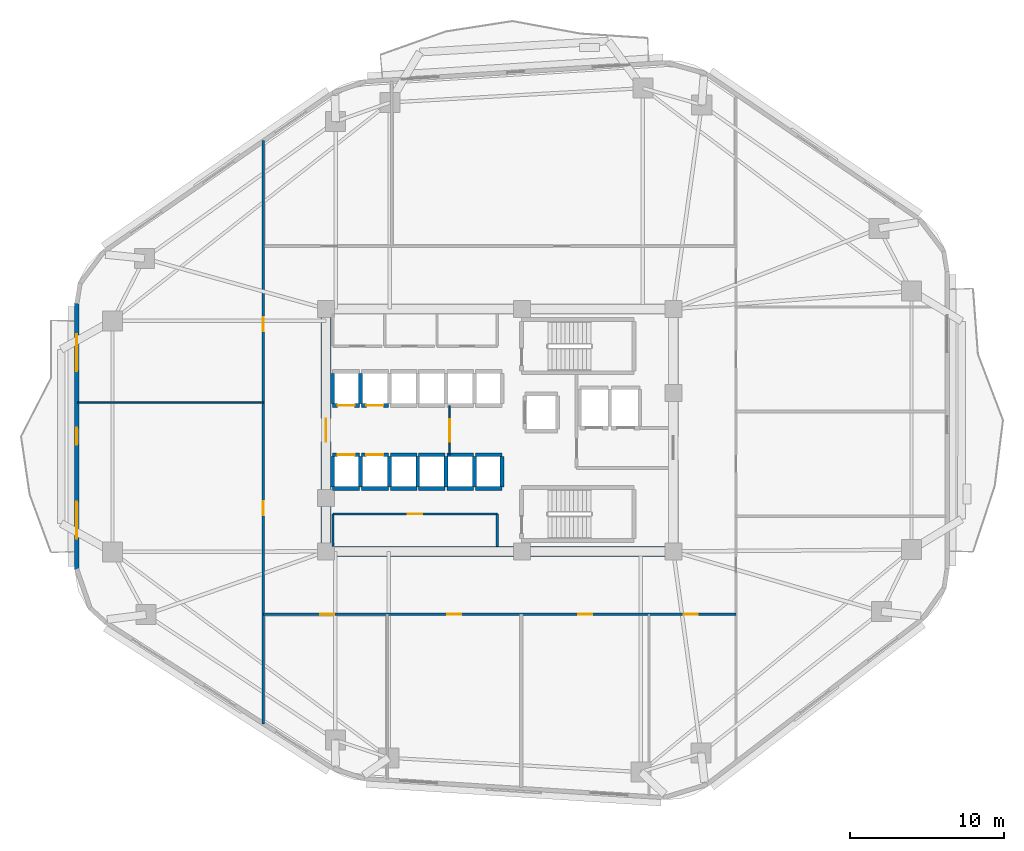
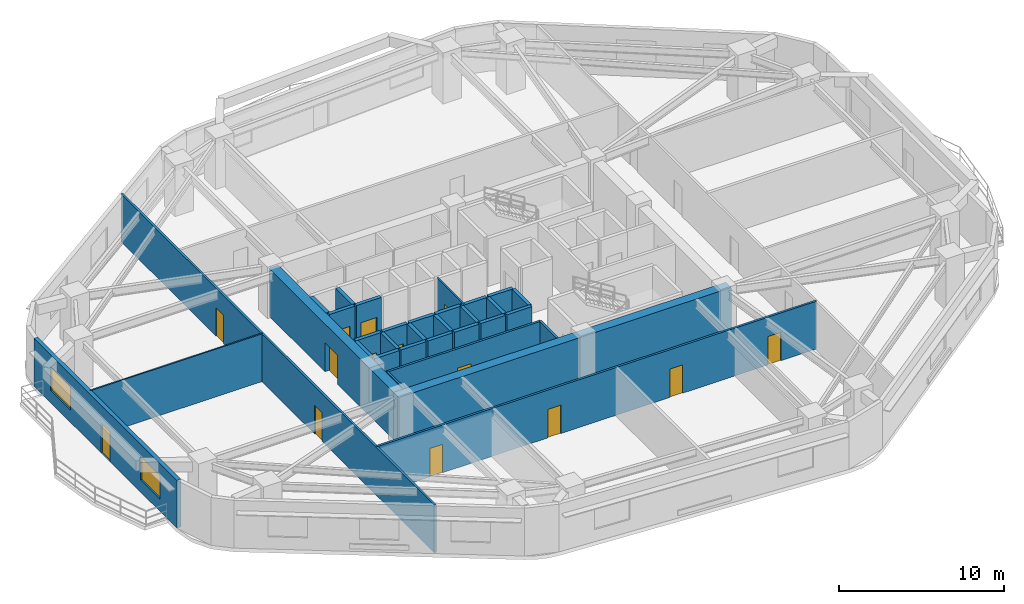
# One storey, part 3 of 9: 33 walls, 14 doors, 2 windows, 16 openings.
"""IFC4 building model written with IfcOpenShell, lengths in metres."""

from ifc_helpers import new_model, si_unit, direction, frame, frame_2d, origin, place, context, subcontext, project, spatial, rectangle, extrude, material, layer, layer_set, type_object, element, fill, save


model = new_model("IFC4")

# Units and contexts
model_context = context("Model", 3, precision=1e-05, world=origin(), true_north=direction((0.0, 1.0)))
body_context = subcontext(model_context, "Body", "Model", "MODEL_VIEW")
ifc_project = project(units=[si_unit("LENGTHUNIT", "METRE"), si_unit("AREAUNIT", "SQUARE_METRE"), si_unit("VOLUMEUNIT", "CUBIC_METRE"), si_unit("PLANEANGLEUNIT", "RADIAN"), si_unit("MASSUNIT", "GRAM", prefix="KILO")], contexts=[model_context])

# Site, building, storey
site_placement = place(None, origin())
site = spatial("IfcSite", under=ifc_project, at=site_placement, CompositionType="ELEMENT")
building_placement = place(site_placement, origin())
building = spatial("IfcBuilding", under=site, at=building_placement, Name="Zulverin Broadcast Headquarters", CompositionType="ELEMENT")
storey_placement = place(building_placement, frame((0.0, 0.0, 59.199951171875)))
storey = spatial("IfcBuildingStorey", under=building, at=storey_placement, Name="L14", CompositionType="ELEMENT", Elevation=59.199951171875)

# Wall
ifc_material_1 = material(Name="Concrete C60/75", Category="concrete")
ifc_layer_1 = layer(ifc_material_1, 0.64990234375, Name="Concrete C60/75", Category="concrete")
ifc_layer_set_1 = layer_set([ifc_layer_1], Name="Concrete C60/75")
wall_type_1 = type_object("IfcWallType", Name="WL-CORE-650", PredefinedType="SHEAR", material=ifc_layer_set_1)
wall_1_placement = place(storey_placement, frame((25.39990234375, 17.324951171875, 0.0), z_axis=(0.0, 0.0, 1.0), x_axis=(1.0, 0.0, 0.0)))
element("IfcWall", 1, at=wall_1_placement, inside=storey, type_object=wall_type_1, Name="L14 Core South Shear Wall", PredefinedType="SHEAR", context=body_context, shape_type="SweptSolid", body=[
    extrude(rectangle(XDim=23.2001953125, YDim=0.64990234375, at=frame_2d((11.60009765625, 0.0))), origin(), (0.0, 0.0, 1.0), 3.525146484375),
])

# Wall, opening, door
wall_2_placement = place(storey_placement, frame((25.72509765625, 17.64990234375, 0.0), z_axis=(0.0, 0.0, 1.0), x_axis=(0.0, 1.0, 0.0)))
wall_2 = element("IfcWall", 2, at=wall_2_placement, inside=storey, type_object=wall_type_1, Name="L14 Core West Shear Wall", PredefinedType="SHEAR", context=body_context, shape_type="SweptSolid", body=[
    extrude(rectangle(XDim=15.10009765625, YDim=0.64990234375, at=frame_2d((7.550048828125, 0.0))), origin(), (0.0, 0.0, 1.0), 3.525146484375),
])
opening_1_placement = place(wall_2_placement, frame((6.800048828125, 0.0, 0.0)))
opening_1 = element("IfcOpeningElement", 3, at=opening_1_placement, cuts=wall_2, Name="Opening D-L14-CW1", PredefinedType="OPENING", context=body_context, shape_type="SweptSolid", body=[
    extrude(rectangle(XDim=1.5, YDim=2.14990234375, at=frame_2d((0.75, 1.074951171875))), frame((0.0, 0.3349609375, 0.0), z_axis=(0.0, -1.0, 0.0), x_axis=(1.0, 0.0, 0.0)), (0.0, 0.0, 1.0), 0.669921875),
])
ifc_material_2 = material(Name="Fire-rated glazed steel frame", Category="steel")
door_type_1 = type_object("IfcDoorType", Name="DR-COR-1500", OperationType="DOUBLE_DOOR_SINGLE_SWING", PredefinedType="DOOR", material=ifc_material_2)
door_1_placement = place(opening_1_placement, origin())
door_1 = element("IfcDoor", 4, at=door_1_placement, inside=storey, type_object=door_type_1, Name="L14 Central Lift Lobby West Portal Door", OperationType="DOUBLE_DOOR_SINGLE_SWING", OverallHeight=2.14990234375, OverallWidth=1.5, PredefinedType="DOOR", context=body_context, shape_type="SweptSolid", body=[
    extrude(rectangle(XDim=1.5, YDim=2.14990234375, at=frame_2d((0.75, 1.074951171875))), frame((0.0, 0.02490234375, 0.0), z_axis=(0.0, -1.0, 0.0), x_axis=(1.0, 0.0, 0.0)), (0.0, 0.0, 1.0), 0.050048828125),
])
fill(opening_1, door_1)

# Wall, openings, door, windows
ifc_material_3 = material(Name="Insulated pale-metal clad concrete spandrel C40/50", Category="concrete")
ifc_layer_2 = layer(ifc_material_3, 0.280029296875, Name="Insulated pale-metal clad concrete spandrel C40/50", Category="concrete")
ifc_layer_set_2 = layer_set([ifc_layer_2], Name="Insulated pale-metal clad concrete spandrel C40/50")
wall_type_2 = type_object("IfcWallType", Name="WL-EXT-280", PredefinedType="STANDARD", material=ifc_layer_set_2)
wall_3_placement = place(storey_placement, frame((9.5400390625, 33.4443359375, 0.0), z_axis=(0.0, 0.0, 1.0), x_axis=(0.0, -1.0, 0.0)))
wall_3 = element("IfcWall", 5, at=wall_3_placement, inside=storey, type_object=wall_type_2, Name="L14 Pale-Metal Clad Spandrel Wall 7", PredefinedType="STANDARD", context=body_context, shape_type="SweptSolid", body=[
    extrude(rectangle(XDim=17.30078125, YDim=0.280029296875, at=frame_2d((8.650390625, 0.0))), origin(), (0.0, 0.0, 1.0), 3.525146484375),
])
opening_2_placement = place(wall_3_placement, frame((8.100341796875, 0.0, 0.0)))
opening_2 = element("IfcOpeningElement", 6, at=opening_2_placement, cuts=wall_3, Name="Opening D-L14-TR7", PredefinedType="OPENING", context=body_context, shape_type="SweptSolid", body=[
    extrude(rectangle(XDim=1.10009765625, YDim=2.199951171875, at=frame_2d((0.550048828125, 1.10009765625))), frame((0.0, 0.14990234375, 0.0), z_axis=(0.0, -1.0, 0.0), x_axis=(1.0, 0.0, 0.0)), (0.0, 0.0, 1.0), 0.300048828125),
])
opening_3_placement = place(wall_3_placement, frame((2.016845703125, 0.0, 0.89990234375)))
opening_3 = element("IfcOpeningElement", 7, at=opening_3_placement, cuts=wall_3, Name="Opening W-L14-E71", PredefinedType="OPENING", context=body_context, shape_type="SweptSolid", body=[
    extrude(rectangle(XDim=2.39990234375, YDim=1.75, at=frame_2d((1.199951171875, 0.875))), frame((0.0, 0.14990234375, 0.0), z_axis=(0.0, -1.0, 0.0), x_axis=(1.0, 0.0, 0.0)), (0.0, 0.0, 1.0), 0.300048828125),
])
opening_4_placement = place(wall_3_placement, frame((12.884033203125, 0.0, 0.89990234375)))
opening_4 = element("IfcOpeningElement", 8, at=opening_4_placement, cuts=wall_3, Name="Opening W-L14-E72", PredefinedType="OPENING", context=body_context, shape_type="SweptSolid", body=[
    extrude(rectangle(XDim=2.39990234375, YDim=1.75, at=frame_2d((1.199951171875, 0.875))), frame((0.0, 0.14990234375, 0.0), z_axis=(0.0, -1.0, 0.0), x_axis=(1.0, 0.0, 0.0)), (0.0, 0.0, 1.0), 0.300048828125),
])
ifc_material_4 = material(Name="Thermally broken aluminium glazed", Category="aluminium")
door_type_2 = type_object("IfcDoorType", Name="DR-TERR-1100", OperationType="SINGLE_SWING_RIGHT", PredefinedType="DOOR", material=ifc_material_4)
door_2_placement = place(opening_2_placement, origin())
door_2 = element("IfcDoor", 9, at=door_2_placement, inside=storey, type_object=door_type_2, Name="L14 Planted Terrace Glazed Access Door 7", OperationType="SINGLE_SWING_RIGHT", OverallHeight=2.199951171875, OverallWidth=1.10009765625, PredefinedType="DOOR", context=body_context, shape_type="SweptSolid", body=[
    extrude(rectangle(XDim=1.10009765625, YDim=2.199951171875, at=frame_2d((0.550048828125, 1.10009765625))), frame((0.0, 0.02490234375, 0.0), z_axis=(0.0, -1.0, 0.0), x_axis=(1.0, 0.0, 0.0)), (0.0, 0.0, 1.0), 0.050048828125),
])
fill(opening_2, door_2)
ifc_material_5 = material(Name="Pale anodized aluminium frame with solar-control low-E double glazing", Category="aluminium")
window_type = type_object("IfcWindowType", Name="WIN-RIB-2400", PartitioningType="SINGLE_PANEL", PredefinedType="WINDOW", material=ifc_material_5)
window_1_placement = place(opening_3_placement, origin())
window_1 = element("IfcWindow", 10, at=window_1_placement, inside=storey, type_object=window_type, Name="L14 Ribbon Glazing Window 7 1", OverallHeight=1.75, OverallWidth=2.39990234375, PartitioningType="SINGLE_PANEL", PredefinedType="WINDOW", context=body_context, shape_type="SweptSolid", body=[
    extrude(rectangle(XDim=2.39990234375, YDim=1.75, at=frame_2d((1.199951171875, 0.875))), frame((0.0, 0.030029296875, 0.0), z_axis=(0.0, -1.0, 0.0), x_axis=(1.0, 0.0, 0.0)), (0.0, 0.0, 1.0), 0.06005859375),
])
fill(opening_3, window_1)
window_2_placement = place(opening_4_placement, origin())
window_2 = element("IfcWindow", 11, at=window_2_placement, inside=storey, type_object=window_type, Name="L14 Ribbon Glazing Window 7 2", OverallHeight=1.75, OverallWidth=2.39990234375, PartitioningType="SINGLE_PANEL", PredefinedType="WINDOW", context=body_context, shape_type="SweptSolid", body=[
    extrude(rectangle(XDim=2.39990234375, YDim=1.75, at=frame_2d((1.199951171875, 0.875))), frame((0.0, 0.030029296875, 0.0), z_axis=(0.0, -1.0, 0.0), x_axis=(1.0, 0.0, 0.0)), (0.0, 0.0, 1.0), 0.06005859375),
])
fill(opening_4, window_2)

# Wall, opening, door
ifc_material_6 = material(Name="Fire-rated acoustic laminated glass screen", Category="glass")
ifc_layer_3 = layer(ifc_material_6, 0.10009765625, Name="Fire-rated acoustic laminated glass screen", Category="glass")
ifc_layer_set_3 = layer_set([ifc_layer_3], Name="Fire-rated acoustic laminated glass screen")
wall_type_3 = type_object("IfcWallType", Name="WL-GLAZ-100", PredefinedType="PARTITIONING", material=ifc_layer_set_3)
wall_4_placement = place(storey_placement, frame((33.75, 23.60009765625, 0.0), z_axis=(0.0, 0.0, 1.0), x_axis=(0.0, 1.0, 0.0)))
wall_4 = element("IfcWall", 12, at=wall_4_placement, inside=storey, type_object=wall_type_3, Name="L14 Core Lobby Acoustic Screen", PredefinedType="PARTITIONING", context=body_context, shape_type="SweptSolid", body=[
    extrude(rectangle(XDim=3.199951171875, YDim=0.10009765625, at=frame_2d((1.60009765625, 0.0))), origin(), (0.0, 0.0, 1.0), 3.525146484375),
])
opening_5_placement = place(wall_4_placement, frame((0.85009765625, 0.0, 0.0)))
opening_5 = element("IfcOpeningElement", 13, at=opening_5_placement, cuts=wall_4, Name="Opening D-L14-CL1", PredefinedType="OPENING", context=body_context, shape_type="SweptSolid", body=[
    extrude(rectangle(XDim=1.449951171875, YDim=2.1201171875, at=frame_2d((0.72509765625, 1.06005859375))), frame((0.0, 0.06005859375, 0.0), z_axis=(0.0, -1.0, 0.0), x_axis=(1.0, 0.0, 0.0)), (0.0, 0.0, 1.0), 0.1201171875),
])
ifc_material_7 = material(Name="Fire-rated acoustic glazed double leaf", Category="glass")
door_type_3 = type_object("IfcDoorType", Name="DR-GLZ-1450", OperationType="DOUBLE_DOOR_SINGLE_SWING", PredefinedType="DOOR", material=ifc_material_7)
door_3_placement = place(opening_5_placement, origin())
door_3 = element("IfcDoor", 14, at=door_3_placement, inside=storey, type_object=door_type_3, Name="L14 Core Lobby Vestibule Door", OperationType="DOUBLE_DOOR_SINGLE_SWING", OverallHeight=2.1201171875, OverallWidth=1.449951171875, PredefinedType="DOOR", context=body_context, shape_type="SweptSolid", body=[
    extrude(rectangle(XDim=1.449951171875, YDim=2.1201171875, at=frame_2d((0.72509765625, 1.06005859375))), frame((0.0, 0.02490234375, 0.0), z_axis=(0.0, -1.0, 0.0), x_axis=(1.0, 0.0, 0.0)), (0.0, 0.0, 1.0), 0.050048828125),
])
fill(opening_5, door_3)

# Wall
wall_5_placement = place(storey_placement, frame((9.60498046875, 27.0, 0.0), z_axis=(0.0, 0.0, 1.0), x_axis=(1.0, 0.0, 0.0)))
element("IfcWall", 15, at=wall_5_placement, inside=storey, type_object=wall_type_3, Name="L14 Room Partition Wall RP-10", PredefinedType="PARTITIONING", context=body_context, shape_type="SweptSolid", body=[
    extrude(rectangle(XDim=12.044921875, YDim=0.10009765625, at=frame_2d((6.0224609375, 0.0))), origin(), (0.0, 0.0, 1.0), 3.525146484375),
])

# Wall, opening, door
ifc_material_8 = material(Name="Fire-rated gypsum stud partition", Category="gypsum")
ifc_layer_4 = layer(ifc_material_8, 0.14990234375, Name="Fire-rated gypsum stud partition", Category="gypsum")
ifc_layer_set_4 = layer_set([ifc_layer_4], Name="Fire-rated gypsum stud partition")
wall_type_4 = type_object("IfcWallType", Name="WL-PART-150", PredefinedType="PARTITIONING", material=ifc_layer_set_4)
wall_6_placement = place(storey_placement, frame((26.169921875, 19.75, 0.0), z_axis=(0.0, 0.0, 1.0), x_axis=(1.0, 0.0, 0.0)))
wall_6 = element("IfcWall", 16, at=wall_6_placement, inside=storey, type_object=wall_type_4, Name="L14 Core Female WC & Facilities Room Front Wall", PredefinedType="PARTITIONING", context=body_context, shape_type="SweptSolid", body=[
    extrude(rectangle(XDim=10.68017578125, YDim=0.14990234375, at=frame_2d((5.340087890625, 0.0))), origin(), (0.0, 0.0, 1.0), 3.525146484375),
])
opening_6_placement = place(wall_6_placement, frame((4.864990234375, 0.0, 0.0)))
opening_6 = element("IfcOpeningElement", 17, at=opening_6_placement, cuts=wall_6, Name="Opening D-L14-SC1", PredefinedType="OPENING", context=body_context, shape_type="SweptSolid", body=[
    extrude(rectangle(XDim=0.949951171875, YDim=2.10009765625, at=frame_2d((0.47509765625, 1.050048828125))), frame((0.0, 0.0849609375, 0.0), z_axis=(0.0, -1.0, 0.0), x_axis=(1.0, 0.0, 0.0)), (0.0, 0.0, 1.0), 0.169921875),
])
ifc_material_9 = material(Name="Fire-rated moisture-resistant laminate leaf", Category="wood")
door_type_4 = type_object("IfcDoorType", Name="DR-WC-950", OperationType="SINGLE_SWING_LEFT", PredefinedType="DOOR", material=ifc_material_9)
door_4_placement = place(opening_6_placement, origin())
door_4 = element("IfcDoor", 18, at=door_4_placement, inside=storey, type_object=door_type_4, Name="L14 Female WC & Facilities Room Door", OperationType="SINGLE_SWING_RIGHT", OverallHeight=2.10009765625, OverallWidth=0.949951171875, PredefinedType="DOOR", context=body_context, shape_type="SweptSolid", body=[
    extrude(rectangle(XDim=0.949951171875, YDim=2.10009765625, at=frame_2d((0.47509765625, 1.050048828125))), frame((0.0, 0.02490234375, 0.0), z_axis=(0.0, -1.0, 0.0), x_axis=(1.0, 0.0, 0.0)), (0.0, 0.0, 1.0), 0.050048828125),
])
fill(opening_6, door_4)

# Walls
for number, where, z_axis, x_axis, name in (
    (19, (26.169921875, 17.64990234375, 0.0), (0.0, 0.0, 1.0), (0.0, 1.0, 0.0), "L14 Core Female WC & Facilities Room West Wall"),
    (20, (36.85009765625, 17.64990234375, 0.0), (0.0, 0.0, 1.0), (0.0, 1.0, 0.0), "L14 Core Female WC & Facilities Room East Wall"),
):
    element("IfcWall", number, at=place(storey_placement, frame(where, z_axis=z_axis, x_axis=x_axis)), inside=storey, type_object=wall_type_4, Name=name, PredefinedType="PARTITIONING", context=body_context, shape_type="SweptSolid", body=[
        extrude(rectangle(XDim=2.10009765625, YDim=0.14990234375, at=frame_2d((1.050048828125, 0.0))), origin(), (0.0, 0.0, 1.0), 3.525146484375),
    ])

# Wall, openings, doors
wall_7_placement = place(storey_placement, frame((21.64990234375, 6.118896484375, 0.0), z_axis=(0.0, 0.0, 1.0), x_axis=(0.0, 1.0, 0.0)))
wall_7 = element("IfcWall", 21, at=wall_7_placement, inside=storey, type_object=wall_type_4, Name="L14 Gallery Partition Wall CG-06", PredefinedType="PARTITIONING", context=body_context, shape_type="SweptSolid", body=[
    extrude(rectangle(XDim=37.884033203125, YDim=0.14990234375, at=frame_2d((18.94189453125, 0.0))), origin(), (0.0, 0.0, 1.0), 3.525146484375),
])
opening_7_placement = place(wall_7_placement, frame((13.55615234375, 0.0, 0.0)))
opening_7 = element("IfcOpeningElement", 22, at=opening_7_placement, cuts=wall_7, Name="Opening D-L14-07", PredefinedType="OPENING", context=body_context, shape_type="SweptSolid", body=[
    extrude(rectangle(XDim=0.89990234375, YDim=2.10009765625, at=frame_2d((0.449951171875, 1.050048828125))), frame((0.0, 0.0849609375, 0.0), z_axis=(0.0, -1.0, 0.0), x_axis=(1.0, 0.0, 0.0)), (0.0, 0.0, 1.0), 0.169921875),
])
opening_8_placement = place(wall_7_placement, frame((25.506103515625, 0.0, 0.0)))
opening_8 = element("IfcOpeningElement", 23, at=opening_8_placement, cuts=wall_7, Name="Opening D-L14-08", PredefinedType="OPENING", context=body_context, shape_type="SweptSolid", body=[
    extrude(rectangle(XDim=0.89990234375, YDim=2.10009765625, at=frame_2d((0.449951171875, 1.050048828125))), frame((0.0, 0.0849609375, 0.0), z_axis=(0.0, -1.0, 0.0), x_axis=(1.0, 0.0, 0.0)), (0.0, 0.0, 1.0), 0.169921875),
])
ifc_material_10 = material(Name="Fire-rated hardwood veneer timber leaf", Category="wood")
door_type_5 = type_object("IfcDoorType", Name="DR-ROOM-900", OperationType="SINGLE_SWING_RIGHT", PredefinedType="DOOR", material=ifc_material_10)
door_5_placement = place(opening_7_placement, origin())
door_5 = element("IfcDoor", 24, at=door_5_placement, inside=storey, type_object=door_type_5, Name="L14 Staff Cafe Door", OperationType="SINGLE_SWING_RIGHT", OverallHeight=2.10009765625, OverallWidth=0.89990234375, PredefinedType="DOOR", context=body_context, shape_type="SweptSolid", body=[
    extrude(rectangle(XDim=0.89990234375, YDim=2.10009765625, at=frame_2d((0.449951171875, 1.050048828125))), frame((0.0, 0.02490234375, 0.0), z_axis=(0.0, -1.0, 0.0), x_axis=(1.0, 0.0, 0.0)), (0.0, 0.0, 1.0), 0.050048828125),
])
fill(opening_7, door_5)
door_6_placement = place(opening_8_placement, origin())
door_6 = element("IfcDoor", 25, at=door_6_placement, inside=storey, type_object=door_type_5, Name="L14 Tea Pantry Door", OperationType="SINGLE_SWING_LEFT", OverallHeight=2.10009765625, OverallWidth=0.89990234375, PredefinedType="DOOR", context=body_context, shape_type="SweptSolid", body=[
    extrude(rectangle(XDim=0.89990234375, YDim=2.10009765625, at=frame_2d((0.449951171875, 1.050048828125))), frame((0.0, 0.02490234375, 0.0), z_axis=(0.0, -1.0, 0.0), x_axis=(1.0, 0.0, 0.0)), (0.0, 0.0, 1.0), 0.050048828125),
])
fill(opening_8, door_6)

wall_8_placement = place(storey_placement, frame((21.64990234375, 13.25, 0.0), z_axis=(0.0, 0.0, 1.0), x_axis=(1.0, 0.0, 0.0)))
wall_8 = element("IfcWall", 26, at=wall_8_placement, inside=storey, type_object=wall_type_4, Name="L14 Gallery Partition Wall CG-07", PredefinedType="PARTITIONING", context=body_context, shape_type="SweptSolid", body=[
    extrude(rectangle(XDim=30.7001953125, YDim=0.14990234375, at=frame_2d((15.35009765625, 0.0))), origin(), (0.0, 0.0, 1.0), 3.525146484375),
])
opening_9_placement = place(wall_8_placement, frame((3.695068359375, 0.0, 0.0)))
opening_9 = element("IfcOpeningElement", 27, at=opening_9_placement, cuts=wall_8, Name="Opening D-L14-03", PredefinedType="OPENING", context=body_context, shape_type="SweptSolid", body=[
    extrude(rectangle(XDim=0.89990234375, YDim=2.10009765625, at=frame_2d((0.449951171875, 1.050048828125))), frame((0.0, 0.0849609375, 0.0), z_axis=(0.0, -1.0, 0.0), x_axis=(1.0, 0.0, 0.0)), (0.0, 0.0, 1.0), 0.169921875),
])
opening_10_placement = place(wall_8_placement, frame((11.949951171875, 0.0, 0.0)))
opening_10 = element("IfcOpeningElement", 28, at=opening_10_placement, cuts=wall_8, Name="Opening D-L14-04", PredefinedType="OPENING", context=body_context, shape_type="SweptSolid", body=[
    extrude(rectangle(XDim=0.89990234375, YDim=2.10009765625, at=frame_2d((0.449951171875, 1.050048828125))), frame((0.0, 0.0849609375, 0.0), z_axis=(0.0, -1.0, 0.0), x_axis=(1.0, 0.0, 0.0)), (0.0, 0.0, 1.0), 0.169921875),
])
opening_11_placement = place(wall_8_placement, frame((20.449951171875, 0.0, 0.0)))
opening_11 = element("IfcOpeningElement", 29, at=opening_11_placement, cuts=wall_8, Name="Opening D-L14-05", PredefinedType="OPENING", context=body_context, shape_type="SweptSolid", body=[
    extrude(rectangle(XDim=0.89990234375, YDim=2.10009765625, at=frame_2d((0.449951171875, 1.050048828125))), frame((0.0, 0.0849609375, 0.0), z_axis=(0.0, -1.0, 0.0), x_axis=(1.0, 0.0, 0.0)), (0.0, 0.0, 1.0), 0.169921875),
])
opening_12_placement = place(wall_8_placement, frame((27.304931640625, 0.0, 0.0)))
opening_12 = element("IfcOpeningElement", 30, at=opening_12_placement, cuts=wall_8, Name="Opening D-L14-06", PredefinedType="OPENING", context=body_context, shape_type="SweptSolid", body=[
    extrude(rectangle(XDim=0.89990234375, YDim=2.10009765625, at=frame_2d((0.449951171875, 1.050048828125))), frame((0.0, 0.0849609375, 0.0), z_axis=(0.0, -1.0, 0.0), x_axis=(1.0, 0.0, 0.0)), (0.0, 0.0, 1.0), 0.169921875),
])
door_7_placement = place(opening_9_placement, origin())
door_7 = element("IfcDoor", 31, at=door_7_placement, inside=storey, type_object=door_type_5, Name="L14 Colour Review Suite Door", OperationType="SINGLE_SWING_RIGHT", OverallHeight=2.10009765625, OverallWidth=0.89990234375, PredefinedType="DOOR", context=body_context, shape_type="SweptSolid", body=[
    extrude(rectangle(XDim=0.89990234375, YDim=2.10009765625, at=frame_2d((0.449951171875, 1.050048828125))), frame((0.0, 0.02490234375, 0.0), z_axis=(0.0, -1.0, 0.0), x_axis=(1.0, 0.0, 0.0)), (0.0, 0.0, 1.0), 0.050048828125),
])
fill(opening_9, door_7)
door_8_placement = place(opening_10_placement, origin())
door_8 = element("IfcDoor", 32, at=door_8_placement, inside=storey, type_object=door_type_5, Name="L14 Boardroom Door", OperationType="SINGLE_SWING_LEFT", OverallHeight=2.10009765625, OverallWidth=0.89990234375, PredefinedType="DOOR", context=body_context, shape_type="SweptSolid", body=[
    extrude(rectangle(XDim=0.89990234375, YDim=2.10009765625, at=frame_2d((0.449951171875, 1.050048828125))), frame((0.0, 0.02490234375, 0.0), z_axis=(0.0, -1.0, 0.0), x_axis=(1.0, 0.0, 0.0)), (0.0, 0.0, 1.0), 0.050048828125),
])
fill(opening_10, door_8)
door_9_placement = place(opening_11_placement, origin())
door_9 = element("IfcDoor", 33, at=door_9_placement, inside=storey, type_object=door_type_5, Name="L14 Broadcast Museum Gallery Door", OperationType="SINGLE_SWING_RIGHT", OverallHeight=2.10009765625, OverallWidth=0.89990234375, PredefinedType="DOOR", context=body_context, shape_type="SweptSolid", body=[
    extrude(rectangle(XDim=0.89990234375, YDim=2.10009765625, at=frame_2d((0.449951171875, 1.050048828125))), frame((0.0, 0.02490234375, 0.0), z_axis=(0.0, -1.0, 0.0), x_axis=(1.0, 0.0, 0.0)), (0.0, 0.0, 1.0), 0.050048828125),
])
fill(opening_11, door_9)
door_10_placement = place(opening_12_placement, origin())
door_10 = element("IfcDoor", 34, at=door_10_placement, inside=storey, type_object=door_type_5, Name="L14 Staff Fitness Gym Door", OperationType="SINGLE_SWING_LEFT", OverallHeight=2.10009765625, OverallWidth=0.89990234375, PredefinedType="DOOR", context=body_context, shape_type="SweptSolid", body=[
    extrude(rectangle(XDim=0.89990234375, YDim=2.10009765625, at=frame_2d((0.449951171875, 1.050048828125))), frame((0.0, 0.02490234375, 0.0), z_axis=(0.0, -1.0, 0.0), x_axis=(1.0, 0.0, 0.0)), (0.0, 0.0, 1.0), 0.050048828125),
])
fill(opening_12, door_10)

# Wall, opening, door
ifc_material_11 = material(Name="Concrete C50/60", Category="concrete")
ifc_layer_5 = layer(ifc_material_11, 0.25, Name="Concrete C50/60", Category="concrete")
ifc_layer_set_5 = layer_set([ifc_layer_5], Name="Concrete C50/60")
wall_type_5 = type_object("IfcWallType", Name="WL-SHAFT-250", PredefinedType="SHEAR", material=ifc_layer_set_5)
wall_9_placement = place(storey_placement, frame((26.14990234375, 26.800048828125, 0.0), z_axis=(0.0, 0.0, 1.0), x_axis=(1.0, 0.0, 0.0)))
wall_9 = element("IfcWall", 35, at=wall_9_placement, inside=storey, type_object=wall_type_5, Name="L14 Lift PL-L1 Shaft Wall S", PredefinedType="SHEAR", context=body_context, shape_type="SweptSolid", body=[
    extrude(rectangle(XDim=1.75, YDim=0.25, at=frame_2d((0.875, 0.0))), origin(), (0.0, 0.0, 1.0), 3.525146484375),
])
opening_13_placement = place(wall_9_placement, frame((0.324951171875, 0.0, 0.0)))
opening_13 = element("IfcOpeningElement", 36, at=opening_13_placement, cuts=wall_9, Name="Opening LD-PL-L1-L14", PredefinedType="OPENING", context=body_context, shape_type="SweptSolid", body=[
    extrude(rectangle(XDim=1.10009765625, YDim=2.14990234375, at=frame_2d((0.550048828125, 1.074951171875))), frame((0.0, 0.135009765625, 0.0), z_axis=(0.0, -1.0, 0.0), x_axis=(1.0, 0.0, 0.0)), (0.0, 0.0, 1.0), 0.27001953125),
])
ifc_material_12 = material(Name="Brushed stainless steel landing", Category="steel")
door_type_6 = type_object("IfcDoorType", Name="LD-PASS-1100", OperationType="DOUBLE_DOOR_SLIDING", PredefinedType="DOOR", material=ifc_material_12)
door_11_placement = place(opening_13_placement, origin())
door_11 = element("IfcDoor", 37, at=door_11_placement, inside=storey, type_object=door_type_6, Name="L14 Lift PL-L1 Sliding Landing Door", OperationType="DOUBLE_DOOR_SLIDING", OverallHeight=2.14990234375, OverallWidth=1.10009765625, PredefinedType="DOOR", context=body_context, shape_type="SweptSolid", body=[
    extrude(rectangle(XDim=1.10009765625, YDim=2.14990234375, at=frame_2d((0.550048828125, 1.074951171875))), frame((0.0, 0.02490234375, 0.0), z_axis=(0.0, -1.0, 0.0), x_axis=(1.0, 0.0, 0.0)), (0.0, 0.0, 1.0), 0.050048828125),
])
fill(opening_13, door_11)

# Walls
for number, where, z_axis, x_axis, name in (
    (38, (26.14990234375, 26.919921875, 0.0), (0.0, 0.0, 1.0), (0.0, 1.0, 0.0), "L14 Lift PL-L1 Shaft Wall W"),
    (39, (27.9599609375, 26.919921875, 0.0), (0.0, 0.0, 1.0), (0.0, 1.0, 0.0), "L14 Lift PL-L1 Shaft Wall E"),
):
    element("IfcWall", number, at=place(storey_placement, frame(where, z_axis=z_axis, x_axis=x_axis)), inside=storey, type_object=wall_type_5, Name=name, PredefinedType="SHEAR", context=body_context, shape_type="SweptSolid", body=[
        extrude(rectangle(XDim=1.9599609375, YDim=0.25, at=frame_2d((0.97998046875, 0.0))), origin(), (0.0, 0.0, 1.0), 3.525146484375),
    ])

# Wall, opening, door
wall_10_placement = place(storey_placement, frame((28.02001953125, 26.800048828125, 0.0), z_axis=(0.0, 0.0, 1.0), x_axis=(1.0, 0.0, 0.0)))
wall_10 = element("IfcWall", 40, at=wall_10_placement, inside=storey, type_object=wall_type_5, Name="L14 Lift PL-L2 Shaft Wall S", PredefinedType="SHEAR", context=body_context, shape_type="SweptSolid", body=[
    extrude(rectangle(XDim=1.75, YDim=0.25, at=frame_2d((0.875, 0.0))), origin(), (0.0, 0.0, 1.0), 3.525146484375),
])
opening_14_placement = place(wall_10_placement, frame((0.324951171875, 0.0, 0.0)))
opening_14 = element("IfcOpeningElement", 41, at=opening_14_placement, cuts=wall_10, Name="Opening LD-PL-L2-L14", PredefinedType="OPENING", context=body_context, shape_type="SweptSolid", body=[
    extrude(rectangle(XDim=1.10009765625, YDim=2.14990234375, at=frame_2d((0.550048828125, 1.074951171875))), frame((0.0, 0.135009765625, 0.0), z_axis=(0.0, -1.0, 0.0), x_axis=(1.0, 0.0, 0.0)), (0.0, 0.0, 1.0), 0.27001953125),
])
door_12_placement = place(opening_14_placement, origin())
door_12 = element("IfcDoor", 42, at=door_12_placement, inside=storey, type_object=door_type_6, Name="L14 Lift PL-L2 Sliding Landing Door", OperationType="DOUBLE_DOOR_SLIDING", OverallHeight=2.14990234375, OverallWidth=1.10009765625, PredefinedType="DOOR", context=body_context, shape_type="SweptSolid", body=[
    extrude(rectangle(XDim=1.10009765625, YDim=2.14990234375, at=frame_2d((0.550048828125, 1.074951171875))), frame((0.0, 0.02490234375, 0.0), z_axis=(0.0, -1.0, 0.0), x_axis=(1.0, 0.0, 0.0)), (0.0, 0.0, 1.0), 0.050048828125),
])
fill(opening_14, door_12)

# Wall
wall_11_placement = place(storey_placement, frame((26.14990234375, 21.39990234375, 0.0), z_axis=(0.0, 0.0, 1.0), x_axis=(1.0, 0.0, 0.0)))
element("IfcWall", 43, at=wall_11_placement, inside=storey, type_object=wall_type_5, Name="L14 Lift PL-L3 Shaft Wall S", PredefinedType="SHEAR", context=body_context, shape_type="SweptSolid", body=[
    extrude(rectangle(XDim=1.75, YDim=0.25, at=frame_2d((0.875, 0.0))), origin(), (0.0, 0.0, 1.0), 3.525146484375),
])

# Wall, opening, door
wall_12_placement = place(storey_placement, frame((26.14990234375, 23.60009765625, 0.0), z_axis=(0.0, 0.0, 1.0), x_axis=(1.0, 0.0, 0.0)))
wall_12 = element("IfcWall", 44, at=wall_12_placement, inside=storey, type_object=wall_type_5, Name="L14 Lift PL-L3 Shaft Wall N", PredefinedType="SHEAR", context=body_context, shape_type="SweptSolid", body=[
    extrude(rectangle(XDim=1.75, YDim=0.25, at=frame_2d((0.875, 0.0))), origin(), (0.0, 0.0, 1.0), 3.525146484375),
])
opening_15_placement = place(wall_12_placement, frame((0.324951171875, 0.0, 0.0)))
opening_15 = element("IfcOpeningElement", 45, at=opening_15_placement, cuts=wall_12, Name="Opening LD-PL-L3-L14", PredefinedType="OPENING", context=body_context, shape_type="SweptSolid", body=[
    extrude(rectangle(XDim=1.10009765625, YDim=2.14990234375, at=frame_2d((0.550048828125, 1.074951171875))), frame((0.0, 0.135009765625, 0.0), z_axis=(0.0, -1.0, 0.0), x_axis=(1.0, 0.0, 0.0)), (0.0, 0.0, 1.0), 0.27001953125),
])
door_13_placement = place(opening_15_placement, origin())
door_13 = element("IfcDoor", 46, at=door_13_placement, inside=storey, type_object=door_type_6, Name="L14 Lift PL-L3 Sliding Landing Door", OperationType="DOUBLE_DOOR_SLIDING", OverallHeight=2.14990234375, OverallWidth=1.10009765625, PredefinedType="DOOR", context=body_context, shape_type="SweptSolid", body=[
    extrude(rectangle(XDim=1.10009765625, YDim=2.14990234375, at=frame_2d((0.550048828125, 1.074951171875))), frame((0.0, 0.02490234375, 0.0), z_axis=(0.0, -1.0, 0.0), x_axis=(1.0, 0.0, 0.0)), (0.0, 0.0, 1.0), 0.050048828125),
])
fill(opening_15, door_13)

# Walls
for number, where, z_axis, x_axis, name in (
    (47, (26.14990234375, 21.52001953125, 0.0), (0.0, 0.0, 1.0), (0.0, 1.0, 0.0), "L14 Lift PL-L3 Shaft Wall W"),
    (48, (27.9599609375, 21.52001953125, 0.0), (0.0, 0.0, 1.0), (0.0, 1.0, 0.0), "L14 Lift PL-L3 Shaft Wall E"),
):
    element("IfcWall", number, at=place(storey_placement, frame(where, z_axis=z_axis, x_axis=x_axis)), inside=storey, type_object=wall_type_5, Name=name, PredefinedType="SHEAR", context=body_context, shape_type="SweptSolid", body=[
        extrude(rectangle(XDim=1.9599609375, YDim=0.25, at=frame_2d((0.97998046875, 0.0))), origin(), (0.0, 0.0, 1.0), 3.525146484375),
    ])
wall_13_placement = place(storey_placement, frame((28.02001953125, 21.39990234375, 0.0), z_axis=(0.0, 0.0, 1.0), x_axis=(1.0, 0.0, 0.0)))
element("IfcWall", 49, at=wall_13_placement, inside=storey, type_object=wall_type_5, Name="L14 Lift PL-L4 Shaft Wall S", PredefinedType="SHEAR", context=body_context, shape_type="SweptSolid", body=[
    extrude(rectangle(XDim=1.75, YDim=0.25, at=frame_2d((0.875, 0.0))), origin(), (0.0, 0.0, 1.0), 3.525146484375),
])

# Wall, opening, door
wall_14_placement = place(storey_placement, frame((28.02001953125, 23.60009765625, 0.0), z_axis=(0.0, 0.0, 1.0), x_axis=(1.0, 0.0, 0.0)))
wall_14 = element("IfcWall", 50, at=wall_14_placement, inside=storey, type_object=wall_type_5, Name="L14 Lift PL-L4 Shaft Wall N", PredefinedType="SHEAR", context=body_context, shape_type="SweptSolid", body=[
    extrude(rectangle(XDim=1.75, YDim=0.25, at=frame_2d((0.875, 0.0))), origin(), (0.0, 0.0, 1.0), 3.525146484375),
])
opening_16_placement = place(wall_14_placement, frame((0.324951171875, 0.0, 0.0)))
opening_16 = element("IfcOpeningElement", 51, at=opening_16_placement, cuts=wall_14, Name="Opening LD-PL-L4-L14", PredefinedType="OPENING", context=body_context, shape_type="SweptSolid", body=[
    extrude(rectangle(XDim=1.10009765625, YDim=2.14990234375, at=frame_2d((0.550048828125, 1.074951171875))), frame((0.0, 0.135009765625, 0.0), z_axis=(0.0, -1.0, 0.0), x_axis=(1.0, 0.0, 0.0)), (0.0, 0.0, 1.0), 0.27001953125),
])
door_14_placement = place(opening_16_placement, origin())
door_14 = element("IfcDoor", 52, at=door_14_placement, inside=storey, type_object=door_type_6, Name="L14 Lift PL-L4 Sliding Landing Door", OperationType="DOUBLE_DOOR_SLIDING", OverallHeight=2.14990234375, OverallWidth=1.10009765625, PredefinedType="DOOR", context=body_context, shape_type="SweptSolid", body=[
    extrude(rectangle(XDim=1.10009765625, YDim=2.14990234375, at=frame_2d((0.550048828125, 1.074951171875))), frame((0.0, 0.02490234375, 0.0), z_axis=(0.0, -1.0, 0.0), x_axis=(1.0, 0.0, 0.0)), (0.0, 0.0, 1.0), 0.050048828125),
])
fill(opening_16, door_14)

# Walls
wall_15_placement = place(storey_placement, frame((29.8349609375, 21.52001953125, 0.0), z_axis=(0.0, 0.0, 1.0), x_axis=(0.0, 1.0, 0.0)))
element("IfcWall", 53, at=wall_15_placement, inside=storey, type_object=wall_type_5, Name="L14 Lift PL-L4 Shaft Wall E", PredefinedType="SHEAR", context=body_context, shape_type="SweptSolid", body=[
    extrude(rectangle(XDim=1.9599609375, YDim=0.25, at=frame_2d((0.97998046875, 0.0))), origin(), (0.0, 0.0, 1.0), 3.525146484375),
])
for number, where, z_axis, x_axis, name in (
    (54, (29.89990234375, 21.39990234375, 0.0), (0.0, 0.0, 1.0), (1.0, 0.0, 0.0), "L14 Lift PL-M1 Shaft Wall S"),
    (55, (29.89990234375, 23.60009765625, 0.0), (0.0, 0.0, 1.0), (1.0, 0.0, 0.0), "L14 Lift PL-M1 Shaft Wall N"),
):
    element("IfcWall", number, at=place(storey_placement, frame(where, z_axis=z_axis, x_axis=x_axis)), inside=storey, type_object=wall_type_5, Name=name, PredefinedType="SHEAR", context=body_context, shape_type="SweptSolid", body=[
        extrude(rectangle(XDim=1.72021484375, YDim=0.25, at=frame_2d((0.860107421875, 0.0))), origin(), (0.0, 0.0, 1.0), 3.525146484375),
    ])
wall_16_placement = place(storey_placement, frame((31.679931640625, 21.52001953125, 0.0), z_axis=(0.0, 0.0, 1.0), x_axis=(0.0, 1.0, 0.0)))
element("IfcWall", 56, at=wall_16_placement, inside=storey, type_object=wall_type_5, Name="L14 Lift PL-M1 Shaft Wall E", PredefinedType="SHEAR", context=body_context, shape_type="SweptSolid", body=[
    extrude(rectangle(XDim=1.9599609375, YDim=0.25, at=frame_2d((0.97998046875, 0.0))), origin(), (0.0, 0.0, 1.0), 3.525146484375),
])
for number, where, z_axis, x_axis, name in (
    (57, (31.739990234375, 21.39990234375, 0.0), (0.0, 0.0, 1.0), (1.0, 0.0, 0.0), "L14 Lift PL-M2 Shaft Wall S"),
    (58, (31.739990234375, 23.60009765625, 0.0), (0.0, 0.0, 1.0), (1.0, 0.0, 0.0), "L14 Lift PL-M2 Shaft Wall N"),
):
    element("IfcWall", number, at=place(storey_placement, frame(where, z_axis=z_axis, x_axis=x_axis)), inside=storey, type_object=wall_type_5, Name=name, PredefinedType="SHEAR", context=body_context, shape_type="SweptSolid", body=[
        extrude(rectangle(XDim=1.719970703125, YDim=0.25, at=frame_2d((0.85986328125, 0.0))), origin(), (0.0, 0.0, 1.0), 3.525146484375),
    ])
wall_17_placement = place(storey_placement, frame((33.52001953125, 21.52001953125, 0.0), z_axis=(0.0, 0.0, 1.0), x_axis=(0.0, 1.0, 0.0)))
element("IfcWall", 59, at=wall_17_placement, inside=storey, type_object=wall_type_5, Name="L14 Lift PL-M2 Shaft Wall E", PredefinedType="SHEAR", context=body_context, shape_type="SweptSolid", body=[
    extrude(rectangle(XDim=1.9599609375, YDim=0.25, at=frame_2d((0.97998046875, 0.0))), origin(), (0.0, 0.0, 1.0), 3.525146484375),
])
for number, where, z_axis, x_axis, name in (
    (60, (33.580078125, 21.39990234375, 0.0), (0.0, 0.0, 1.0), (1.0, 0.0, 0.0), "L14 Lift PL-M3 Shaft Wall S"),
    (61, (33.580078125, 23.60009765625, 0.0), (0.0, 0.0, 1.0), (1.0, 0.0, 0.0), "L14 Lift PL-M3 Shaft Wall N"),
):
    element("IfcWall", number, at=place(storey_placement, frame(where, z_axis=z_axis, x_axis=x_axis)), inside=storey, type_object=wall_type_5, Name=name, PredefinedType="SHEAR", context=body_context, shape_type="SweptSolid", body=[
        extrude(rectangle(XDim=1.719970703125, YDim=0.25, at=frame_2d((0.85986328125, 0.0))), origin(), (0.0, 0.0, 1.0), 3.525146484375),
    ])
wall_18_placement = place(storey_placement, frame((35.360107421875, 21.52001953125, 0.0), z_axis=(0.0, 0.0, 1.0), x_axis=(0.0, 1.0, 0.0)))
element("IfcWall", 62, at=wall_18_placement, inside=storey, type_object=wall_type_5, Name="L14 Lift PL-M3 Shaft Wall E", PredefinedType="SHEAR", context=body_context, shape_type="SweptSolid", body=[
    extrude(rectangle(XDim=1.9599609375, YDim=0.25, at=frame_2d((0.97998046875, 0.0))), origin(), (0.0, 0.0, 1.0), 3.525146484375),
])
for number, where, z_axis, x_axis, name in (
    (63, (35.419921875, 21.39990234375, 0.0), (0.0, 0.0, 1.0), (1.0, 0.0, 0.0), "L14 Lift PL-M4 Shaft Wall S"),
    (64, (35.419921875, 23.60009765625, 0.0), (0.0, 0.0, 1.0), (1.0, 0.0, 0.0), "L14 Lift PL-M4 Shaft Wall N"),
):
    element("IfcWall", number, at=place(storey_placement, frame(where, z_axis=z_axis, x_axis=x_axis)), inside=storey, type_object=wall_type_5, Name=name, PredefinedType="SHEAR", context=body_context, shape_type="SweptSolid", body=[
        extrude(rectangle(XDim=1.719970703125, YDim=0.25, at=frame_2d((0.85986328125, 0.0))), origin(), (0.0, 0.0, 1.0), 3.525146484375),
    ])
wall_19_placement = place(storey_placement, frame((37.139892578125, 21.52001953125, 0.0), z_axis=(0.0, 0.0, 1.0), x_axis=(0.0, 1.0, 0.0)))
element("IfcWall", 65, at=wall_19_placement, inside=storey, type_object=wall_type_5, Name="L14 Lift PL-M4 Shaft Wall E", PredefinedType="SHEAR", context=body_context, shape_type="SweptSolid", body=[
    extrude(rectangle(XDim=1.9599609375, YDim=0.25, at=frame_2d((0.97998046875, 0.0))), origin(), (0.0, 0.0, 1.0), 3.525146484375),
])

save(model, "model.ifc")
